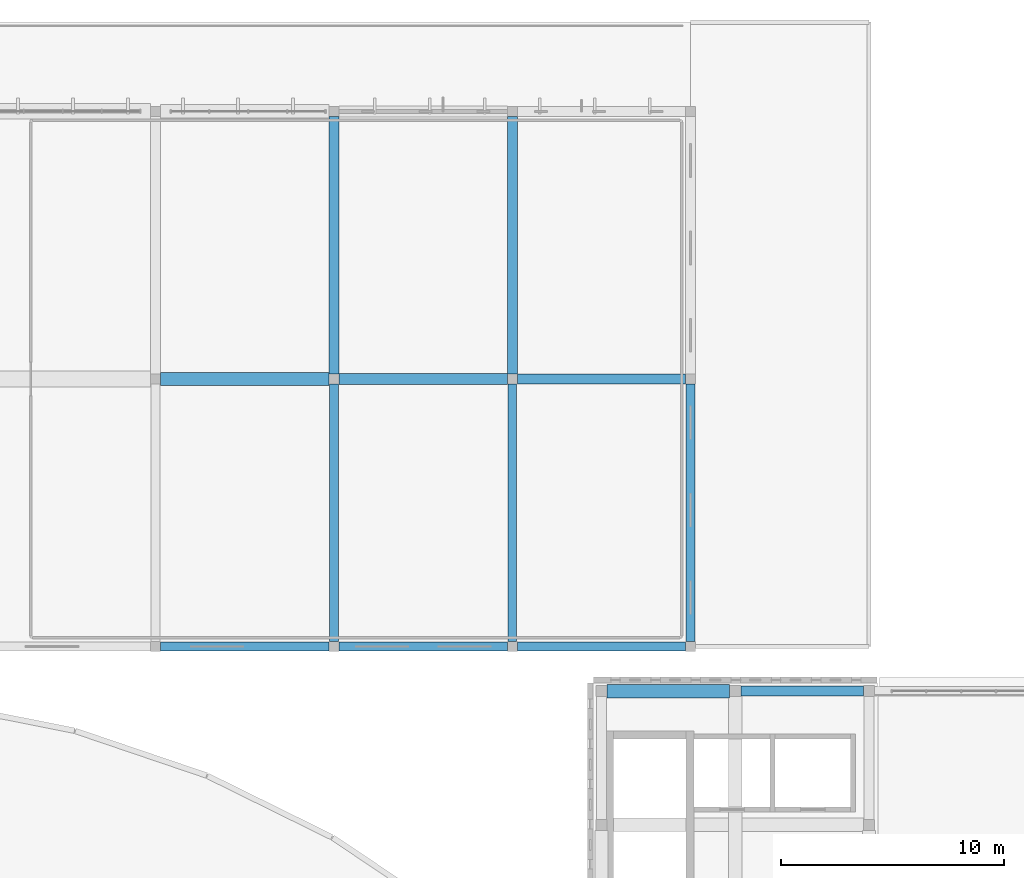
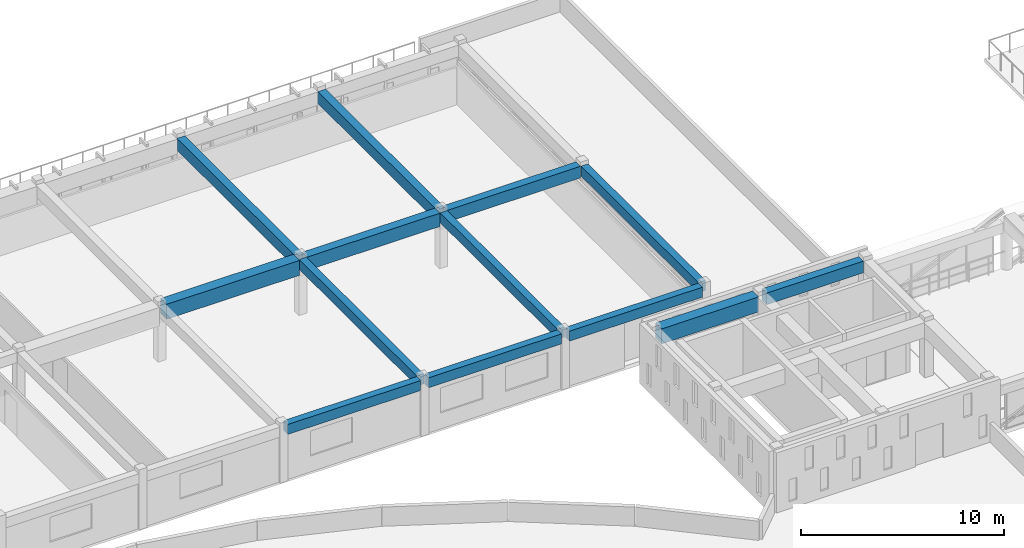
# One storey, part 26 of 77: 13 beams.
"""IFC4 building model written with IfcOpenShell, lengths in metres."""

from ifc_helpers import new_model, si_unit, direction, frame, origin, origin_2d, place, context, subcontext, project, spatial, rectangle, extrude, material, material_profile, profile_set, type_object, element, save


model = new_model("IFC4")

# Units and contexts
model_context = context("Model", 3, precision=1e-05, world=origin(), true_north=direction((0.0, 1.0)))
body_context = subcontext(model_context, "Body", "Model", "MODEL_VIEW")
ifc_project = project(units=[si_unit("LENGTHUNIT", "METRE"), si_unit("AREAUNIT", "SQUARE_METRE"), si_unit("VOLUMEUNIT", "CUBIC_METRE"), si_unit("PLANEANGLEUNIT", "RADIAN"), si_unit("MASSUNIT", "GRAM", prefix="KILO")], contexts=[model_context])

# Site, building, storey
site_placement = place(None, origin())
site = spatial("IfcSite", under=ifc_project, at=site_placement, CompositionType="ELEMENT")
building_placement = place(site_placement, origin())
building = spatial("IfcBuilding", under=site, at=building_placement, Name="Larkveld Mobility Hub", CompositionType="ELEMENT")
storey_placement = place(building_placement, frame((0.0, 0.0, 12.0)))
storey = spatial("IfcBuildingStorey", under=building, at=storey_placement, Name="L03", CompositionType="ELEMENT", Elevation=12.0)

# Beams
ifc_material = material(Name="Concrete C40/50", Category="concrete")
ifc_material_profile_1 = material_profile(ifc_material, rectangle(XDim=0.39990234375, YDim=0.60009765625, at=origin_2d()), Name="RC BM 400x600")
ifc_profile_set_1 = profile_set([ifc_material_profile_1], Name="Concrete C40/50")
beam_type_1 = type_object("IfcBeamType", Name="BM-RC4060", PredefinedType="BEAM", material=ifc_profile_set_1)
for number, where, z_axis, x_axis, name in (
    (1, (64.22509765625, 98.0, 3.06005859375), (1.0, 0.0, 0.0), (0.0, 1.0, 0.0), "Primary E-W Girder L03-0749"),
    (2, (72.22509765625, 98.0, 3.06005859375), (1.0, 0.0, 0.0), (0.0, 1.0, 0.0), "Primary E-W Girder L03-0750"),
    (3, (80.22509765625, 98.0, 3.06005859375), (1.0, 0.0, 0.0), (0.0, 1.0, 0.0), "Primary E-W Girder L03-0751"),
):
    element("IfcBeam", number, at=place(storey_placement, frame(where, z_axis=z_axis, x_axis=x_axis)), inside=storey, type_object=beam_type_1, Name=name, PredefinedType="BEAM", context=body_context, shape_type="SweptSolid", body=[
        extrude(rectangle(XDim=0.39990234375, YDim=0.60009765625, at=origin_2d()), origin(), (0.0, 0.0, 1.0), 7.5498046875),
    ])
for number, where, z_axis, x_axis, name in (
    (4, (72.0, 98.22509765625, 3.06005859375), (0.0, 1.0, 0.0), (-1.0, 0.0, 0.0), "Primary N-S Girder L03-0783"),
    (5, (80.0, 98.22509765625, 3.06005859375), (0.0, 1.0, 0.0), (-1.0, 0.0, 0.0), "Primary N-S Girder L03-0785"),
    (6, (88.0, 98.22509765625, 3.06005859375), (0.0, 1.0, 0.0), (-1.0, 0.0, 0.0), "Primary N-S Girder L03-0789"),
):
    element("IfcBeam", number, at=place(storey_placement, frame(where, z_axis=z_axis, x_axis=x_axis)), inside=storey, type_object=beam_type_1, Name=name, PredefinedType="BEAM", context=body_context, shape_type="SweptSolid", body=[
        extrude(rectangle(XDim=0.39990234375, YDim=0.60009765625, at=origin_2d()), origin(), (0.0, 0.0, 1.0), 11.5498046875),
    ])
ifc_material_profile_2 = material_profile(ifc_material, rectangle(XDim=0.449951171875, YDim=0.699951171875, at=origin_2d()), Name="RC BM 450x700")
ifc_profile_set_2 = profile_set([ifc_material_profile_2], Name="Concrete C40/50")
beam_type_2 = type_object("IfcBeamType", Name="BM-RC4570", PredefinedType="BEAM", material=ifc_profile_set_2)
beam_1_placement = place(storey_placement, frame((90.25, 96.0, 3.010009765625), z_axis=(1.0, 0.0, 0.0), x_axis=(0.0, 1.0, 0.0)))
element("IfcBeam", 7, at=beam_1_placement, inside=storey, type_object=beam_type_2, Name="Primary E-W Girder L03-0743", PredefinedType="BEAM", context=body_context, shape_type="SweptSolid", body=[
    extrude(rectangle(XDim=0.449951171875, YDim=0.699951171875, at=origin_2d()), origin(), (0.0, 0.0, 1.0), 5.5),
])
beam_2_placement = place(storey_placement, frame((80.22509765625, 110.0, 3.010009765625), z_axis=(1.0, 0.0, 0.0), x_axis=(0.0, 1.0, 0.0)))
element("IfcBeam", 8, at=beam_2_placement, inside=storey, type_object=beam_type_2, Name="Primary E-W Girder L03-0762", PredefinedType="BEAM", context=body_context, shape_type="SweptSolid", body=[
    extrude(rectangle(XDim=0.449951171875, YDim=0.699951171875, at=origin_2d()), origin(), (0.0, 0.0, 1.0), 7.5498046875),
])
for number, where, z_axis, x_axis, name in (
    (9, (72.0, 110.22509765625, 3.010009765625), (0.0, 1.0, 0.0), (-1.0, 0.0, 0.0), "Primary N-S Girder L03-0784"),
    (10, (80.0, 110.22509765625, 3.010009765625), (0.0, 1.0, 0.0), (-1.0, 0.0, 0.0), "Primary N-S Girder L03-0786"),
):
    element("IfcBeam", number, at=place(storey_placement, frame(where, z_axis=z_axis, x_axis=x_axis)), inside=storey, type_object=beam_type_2, Name=name, PredefinedType="BEAM", context=body_context, shape_type="SweptSolid", body=[
        extrude(rectangle(XDim=0.449951171875, YDim=0.699951171875, at=origin_2d()), origin(), (0.0, 0.0, 1.0), 11.5498046875),
    ])
ifc_material_profile_3 = material_profile(ifc_material, rectangle(XDim=0.5, YDim=0.800048828125, at=origin_2d()), Name="RC BM 500x800")
ifc_profile_set_3 = profile_set([ifc_material_profile_3], Name="Concrete C40/50")
beam_type_3 = type_object("IfcBeamType", Name="BM-RC5080", PredefinedType="BEAM", material=ifc_profile_set_3)
beam_3_placement = place(storey_placement, frame((72.22509765625, 110.0, 2.9599609375), z_axis=(1.0, 0.0, 0.0), x_axis=(0.0, 1.0, 0.0)))
element("IfcBeam", 11, at=beam_3_placement, inside=storey, type_object=beam_type_3, Name="Primary E-W Girder L03-0761", PredefinedType="BEAM", context=body_context, shape_type="SweptSolid", body=[
    extrude(rectangle(XDim=0.5, YDim=0.800048828125, at=origin_2d()), origin(), (0.0, 0.0, 1.0), 7.5498046875),
])
ifc_material_profile_4 = material_profile(ifc_material, rectangle(XDim=0.60009765625, YDim=0.89990234375, at=origin_2d()), Name="RC BM 600x900")
ifc_profile_set_4 = profile_set([ifc_material_profile_4], Name="Concrete C40/50")
beam_type_4 = type_object("IfcBeamType", Name="BM-RC6090", PredefinedType="BEAM", material=ifc_profile_set_4)
beam_4_placement = place(storey_placement, frame((84.25, 96.0, 2.909912109375), z_axis=(1.0, 0.0, 0.0), x_axis=(0.0, 1.0, 0.0)))
element("IfcBeam", 12, at=beam_4_placement, inside=storey, type_object=beam_type_4, Name="Primary E-W Girder L03-0742", PredefinedType="BEAM", context=body_context, shape_type="SweptSolid", body=[
    extrude(rectangle(XDim=0.60009765625, YDim=0.89990234375, at=origin_2d()), origin(), (0.0, 0.0, 1.0), 5.5),
])
beam_5_placement = place(storey_placement, frame((64.22509765625, 110.0, 2.909912109375), z_axis=(1.0, 0.0, 0.0), x_axis=(0.0, 1.0, 0.0)))
element("IfcBeam", 13, at=beam_5_placement, inside=storey, type_object=beam_type_4, Name="Primary E-W Girder L03-0760", PredefinedType="BEAM", context=body_context, shape_type="SweptSolid", body=[
    extrude(rectangle(XDim=0.60009765625, YDim=0.89990234375, at=origin_2d()), origin(), (0.0, 0.0, 1.0), 7.5498046875),
])

save(model, "model.ifc")
